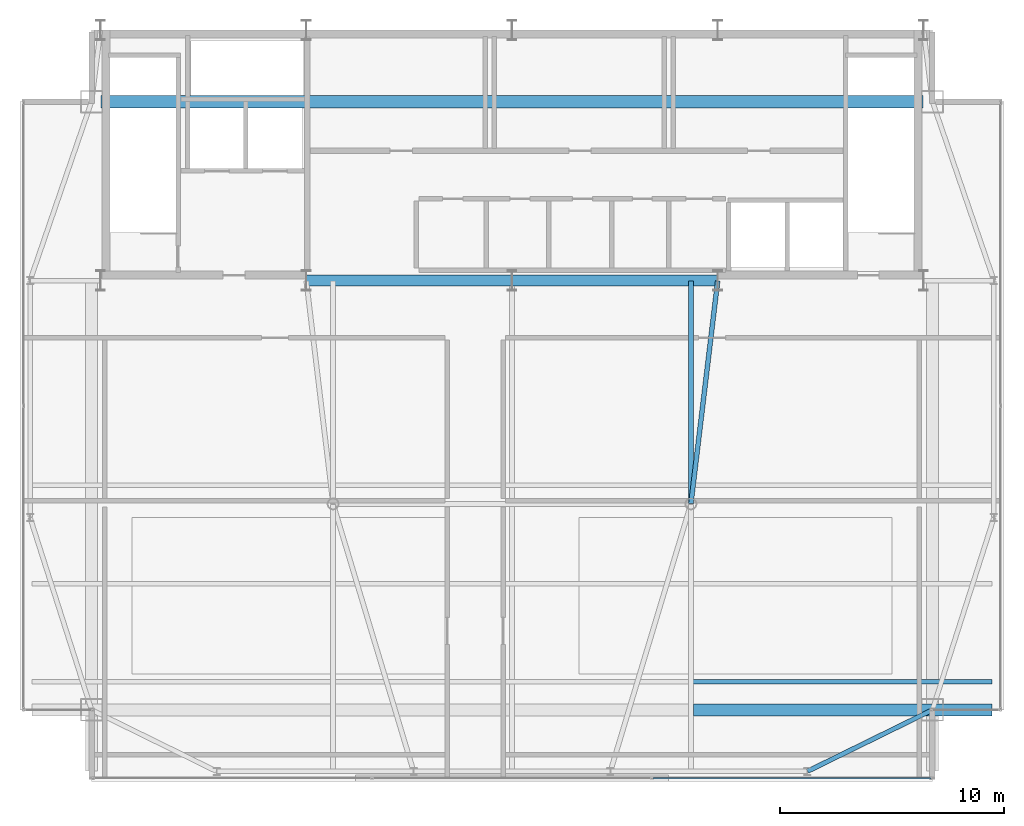
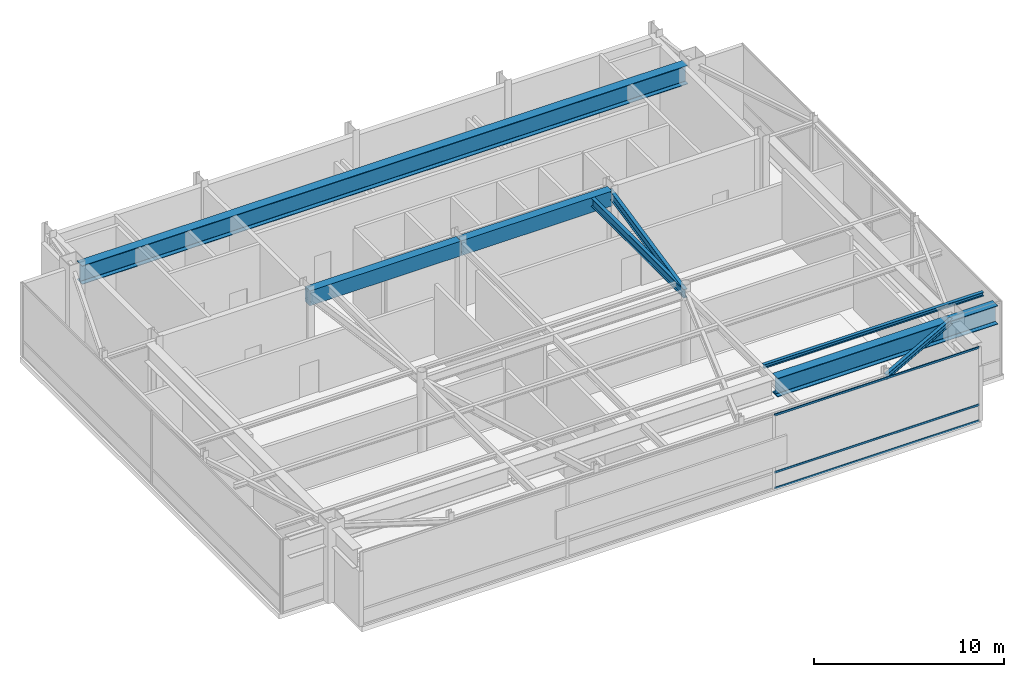
# One storey, part 13 of 20: 8 beams, 3 members, 1 element without a shape of its own.
"""IFC4 building model written with IfcOpenShell, lengths in metres."""

from ifc_helpers import new_model, si_unit, direction, frame, origin, origin_2d, place, context, subcontext, project, spatial, rectangle, hollow_rectangle, i_section, extrude, source, transform, mapped, material, layer, layer_set, material_profile, profile_set, type_object, type_shapes, element, aggregate, save


model = new_model("IFC4")

# Units and contexts
model_context = context("Model", 3, precision=1e-05, world=origin(), true_north=direction((0.0, 1.0)))
body_context = subcontext(model_context, "Body", "Model", "MODEL_VIEW")
ifc_project = project(units=[si_unit("LENGTHUNIT", "METRE"), si_unit("AREAUNIT", "SQUARE_METRE"), si_unit("VOLUMEUNIT", "CUBIC_METRE"), si_unit("PLANEANGLEUNIT", "RADIAN"), si_unit("MASSUNIT", "GRAM", prefix="KILO")], contexts=[model_context])

# Site, building, storey
site_placement = place(None, origin())
site = spatial("IfcSite", under=ifc_project, at=site_placement, CompositionType="ELEMENT")
building_placement = place(site_placement, origin())
building = spatial("IfcBuilding", under=site, at=building_placement, Name="Varnel Quay Broadcast Tower", CompositionType="ELEMENT")
storey_placement = place(building_placement, frame((0.0, 0.0, 314.60009765625)))
storey = spatial("IfcBuildingStorey", under=building, at=storey_placement, Name="L78", CompositionType="ELEMENT", Elevation=314.60009765625)

# Beams
ifc_material_1 = material(Name="Concrete CSA A23.3 C50/60", Category="concrete")
ifc_material_profile_1 = material_profile(ifc_material_1, rectangle(XDim=0.5, YDim=0.949951171875, at=origin_2d()), Name="RC500X950")
ifc_profile_set_1 = profile_set([ifc_material_profile_1], Name="Concrete CSA A23.3 C50/60")
beam_type_1 = type_object("IfcBeamType", Name="Beam_RC500X950", PredefinedType="BEAM", material=ifc_profile_set_1)
shared_shape_1 = source(origin(), body_context, "Body", "SweptSolid", [
    extrude(rectangle(XDim=0.5, YDim=0.949951171875, at=origin_2d()), origin(), (0.0, 0.0, 1.0), 9.159912109375),
])
type_shapes(beam_type_1, [shared_shape_1])
for number, where, z_axis, x_axis, name in (
    (1, (24.820068359375, 35.60009765625, 4.27490234375), (1.0, 0.0, 0.0), (0.0, 1.0, 0.0), "L78 Core Coupling Beam W"),
    (2, (34.02001953125, 35.60009765625, 4.27490234375), (1.0, 0.0, 0.0), (0.0, 1.0, 0.0), "L78 Core Coupling Beam E"),
):
    element("IfcBeam", number, at=place(storey_placement, frame(where, z_axis=z_axis, x_axis=x_axis)), inside=storey, type_object=beam_type_1, Name=name, PredefinedType="BEAM", context=body_context, shape_type="MappedRepresentation", body=[
        mapped(shared_shape_1, transform((0.0, 0.0, 0.0), x_axis=(1.0, 0.0, 0.0), y_axis=(0.0, 1.0, 0.0), z_axis=(0.0, 0.0, 1.0), scale=1.0)),
    ])
ifc_material_2 = material(Name="Structural Steel CSA G40.21 350W", Category="steel")
ifc_material_profile_2 = material_profile(ifc_material_2, i_section(OverallWidth=0.205078125, OverallDepth=0.35400390625, WebThickness=0.009521484375, FlangeThickness=0.016845703125, FilletRadius=0.012939453125, at=origin_2d()), Name="W360X79")
ifc_profile_set_2 = profile_set([ifc_material_profile_2], Name="Structural Steel CSA G40.21 350W")
beam_type_2 = type_object("IfcBeamType", Name="Beam_W360X79", PredefinedType="SPANDREL", material=ifc_profile_set_2)
shared_shape_2 = source(origin(), body_context, "Body", "SweptSolid", [
    extrude(i_section(OverallWidth=0.205078125, OverallDepth=0.35400390625, WebThickness=0.009521484375, FlangeThickness=0.016845703125, FilletRadius=0.012939453125, at=origin_2d()), origin(), (0.0, 0.0, 1.0), 6.19873046875),
])
type_shapes(beam_type_2, [shared_shape_2])
beam_1_placement = place(storey_placement, frame((47.218017578125, 13.65869140625, 4.572998046875), z_axis=(0.897602447358, 0.440805905697, 0.0), x_axis=(-0.440805905697, 0.897602447358, 0.0)))
element("IfcBeam", 3, at=beam_1_placement, inside=storey, type_object=beam_type_2, Name="L78 South Spandrel TC-S4-MC-SE", PredefinedType="SPANDREL", context=body_context, shape_type="MappedRepresentation", body=[
    mapped(shared_shape_2, transform((0.0, 0.0, 0.0), x_axis=(1.0, 0.0, 0.0), y_axis=(0.0, 1.0, 0.0), z_axis=(0.0, 0.0, 1.0), scale=1.0)),
])
ifc_material_profile_3 = material_profile(ifc_material_2, i_section(OverallWidth=0.2119140625, OverallDepth=0.5439453125, WebThickness=0.01318359375, FlangeThickness=0.021240234375, FilletRadius=0.013916015625, at=origin_2d()), Name="W530X123")
ifc_profile_set_3 = profile_set([ifc_material_profile_3], Name="Structural Steel CSA G40.21 350W")
beam_type_3 = type_object("IfcBeamType", Name="Girder_W530X123", PredefinedType="BEAM", material=ifc_profile_set_3)
shared_shape_3 = source(origin(), body_context, "Body", "SweptSolid", [
    extrude(i_section(OverallWidth=0.2119140625, OverallDepth=0.5439453125, WebThickness=0.01318359375, FlangeThickness=0.021240234375, FilletRadius=0.013916015625, at=origin_2d()), origin(), (0.0, 0.0, 1.0), 10.021728515625),
])
beam_2_placement = place(storey_placement, frame((42.00244140625, 25.6298828125, 4.477783203125), z_axis=(0.119248005741, 0.992864498875, 0.0), x_axis=(-0.992864498875, 0.119248005741, 0.0)))
element("IfcBeam", 4, at=beam_2_placement, inside=storey, type_object=beam_type_3, Name="L78 Primary Girder IC-02-CC-S4", PredefinedType="BEAM", context=body_context, shape_type="MappedRepresentation", body=[
    mapped(shared_shape_3, transform((0.0, 0.0, 0.0), x_axis=(1.0, 0.0, 0.0), y_axis=(0.0, 1.0, 0.0), z_axis=(0.0, 0.0, 1.0), scale=1.0)),
])
shared_shape_4 = source(origin(), body_context, "Body", "SweptSolid", [
    extrude(i_section(OverallWidth=0.2119140625, OverallDepth=0.5439453125, WebThickness=0.01318359375, FlangeThickness=0.021240234375, FilletRadius=0.013916015625, at=origin_2d()), origin(), (0.0, 0.0, 1.0), 9.9501953125),
])
type_shapes(beam_type_3, [shared_shape_3, shared_shape_4])
beam_3_placement = place(storey_placement, frame((42.0, 25.6298828125, 4.477783203125), z_axis=(0.0, 1.0, 0.0), x_axis=(-1.0, 0.0, 0.0)))
element("IfcBeam", 5, at=beam_3_placement, inside=storey, type_object=beam_type_3, Name="L78 N-S Joist Header IC-02N", PredefinedType="BEAM", context=body_context, shape_type="MappedRepresentation", body=[
    mapped(shared_shape_4, transform((0.0, 0.0, 0.0), x_axis=(1.0, 0.0, 0.0), y_axis=(0.0, 1.0, 0.0), z_axis=(0.0, 0.0, 1.0), scale=1.0)),
])
ifc_material_profile_4 = material_profile(ifc_material_2, i_section(OverallWidth=0.201904296875, OverallDepth=0.2470703125, WebThickness=0.00732421875, FlangeThickness=0.010986328125, FilletRadius=0.010986328125, at=origin_2d()), Name="W250X49")
ifc_profile_set_4 = profile_set([ifc_material_profile_4], Name="Structural Steel CSA G40.21 350W")
beam_type_4 = type_object("IfcBeamType", Name="Beam_W250X49", PredefinedType="JOIST", material=ifc_profile_set_4)
shared_shape_5 = source(origin(), body_context, "Body", "SweptSolid", [
    extrude(i_section(OverallWidth=0.201904296875, OverallDepth=0.2470703125, WebThickness=0.00732421875, FlangeThickness=0.010986328125, FilletRadius=0.010986328125, at=origin_2d()), origin(), (0.0, 0.0, 1.0), 13.351318359375),
])
type_shapes(beam_type_4, [shared_shape_5])
beam_4_placement = place(storey_placement, frame((42.10107421875, 17.64990234375, 4.62646484375), z_axis=(1.0, 0.0, 0.0), x_axis=(0.0, 1.0, 0.0)))
element("IfcBeam", 6, at=beam_4_placement, inside=storey, type_object=beam_type_4, Name="L78 East Floor Joist 1", PredefinedType="JOIST", context=body_context, shape_type="MappedRepresentation", body=[
    mapped(shared_shape_5, transform((0.0, 0.0, 0.0), x_axis=(1.0, 0.0, 0.0), y_axis=(0.0, 1.0, 0.0), z_axis=(0.0, 0.0, 1.0), scale=1.0)),
])
ifc_material_3 = material(Name="Structural Steel CSA G40.21 350WT", Category="steel")
ifc_material_profile_5 = material_profile(ifc_material_3, i_section(OverallWidth=0.550048828125, OverallDepth=1.199951171875, WebThickness=0.02001953125, FlangeThickness=0.034912109375, FilletRadius=0.02001953125, at=origin_2d()), Name="WWF1200X487")
ifc_profile_set_5 = profile_set([ifc_material_profile_5], Name="Structural Steel CSA G40.21 350WT")
beam_type_5 = type_object("IfcBeamType", Name="Girder_WWF1200X487", PredefinedType="BEAM", material=ifc_profile_set_5)
shared_shape_6 = source(origin(), body_context, "Body", "SweptSolid", [
    extrude(i_section(OverallWidth=0.550048828125, OverallDepth=1.199951171875, WebThickness=0.02001953125, FlangeThickness=0.034912109375, FilletRadius=0.02001953125, at=origin_2d()), origin(), (0.0, 0.0, 1.0), 13.35986328125),
])
beam_5_placement = place(storey_placement, frame((42.110107421875, 16.39990234375, 4.14990234375), z_axis=(1.0, 0.0, 0.0), x_axis=(0.0, 1.0, 0.0)))
element("IfcBeam", 7, at=beam_5_placement, inside=storey, type_object=beam_type_5, Name="L78 Crown Ring Support S3", PredefinedType="BEAM", context=body_context, shape_type="MappedRepresentation", body=[
    mapped(shared_shape_6, transform((0.0, 0.0, 0.0), x_axis=(1.0, 0.0, 0.0), y_axis=(0.0, 1.0, 0.0), z_axis=(0.0, 0.0, 1.0), scale=1.0)),
])
shared_shape_7 = source(origin(), body_context, "Body", "SweptSolid", [
    extrude(i_section(OverallWidth=0.550048828125, OverallDepth=1.199951171875, WebThickness=0.02001953125, FlangeThickness=0.034912109375, FilletRadius=0.02001953125, at=origin_2d()), origin(), (0.0, 0.0, 1.0), 36.759765625),
])
type_shapes(beam_type_5, [shared_shape_6, shared_shape_7])
beam_6_placement = place(storey_placement, frame((15.6201171875, 43.60009765625, 4.14990234375), z_axis=(1.0, 0.0, 0.0), x_axis=(0.0, 1.0, 0.0)))
element("IfcBeam", 8, at=beam_6_placement, inside=storey, type_object=beam_type_5, Name="L78 Crown Ring Support N", PredefinedType="BEAM", context=body_context, shape_type="MappedRepresentation", body=[
    mapped(shared_shape_7, transform((0.0, 0.0, 0.0), x_axis=(1.0, 0.0, 0.0), y_axis=(0.0, 1.0, 0.0), z_axis=(0.0, 0.0, 1.0), scale=1.0)),
])

# Curtain wall, members
ifc_material_4 = material(Name="Anodised Bronze Aluminium 6063-T6", Category="aluminium")
ifc_layer = layer(ifc_material_4, 0.18994140625, Name="Anodised Bronze Aluminium 6063-T6")
ifc_layer_set = layer_set([ifc_layer], Name="Anodised Bronze Aluminium 6063-T6")
curtain_wall_type = type_object("IfcCurtainWallType", Name="CW_UpperTower", PredefinedType="NOTDEFINED", material=ifc_layer_set)
curtain_wall_placement = place(storey_placement, origin())
curtain_wall = element("IfcCurtainWall", 9, at=curtain_wall_placement, inside=storey, type_object=curtain_wall_type, Name="L78 South Unitised Curtain Wall 1", PredefinedType="NOTDEFINED")
ifc_material_profile_6 = material_profile(ifc_material_4, hollow_rectangle(XDim=0.06005859375, YDim=0.125, WallThickness=0.0029296875, at=origin_2d()), Name="ALU60X125X3")
ifc_profile_set_6 = profile_set([ifc_material_profile_6], Name="Anodised Bronze Aluminium 6063-T6")
member_type = type_object("IfcMemberType", Name="Tran_CWS-03", PredefinedType="USERDEFINED", material=ifc_profile_set_6)
shared_shape_8 = source(origin(), body_context, "Body", "SweptSolid", [
    extrude(hollow_rectangle(XDim=0.06005859375, YDim=0.125, WallThickness=0.0029296875, at=origin_2d()), origin(), (0.0, 0.0, 1.0), 12.43603515625),
])
type_shapes(member_type, [shared_shape_8])
member_1_placement = place(storey_placement, frame((40.299072265625, 13.35009765625, 0.02978515625), z_axis=(1.0, 0.0, 0.0), x_axis=(0.0, 1.0, 0.0)))
member_1 = element("IfcMember", 10, at=member_1_placement, type_object=member_type, Name="CWS-03 transom 3.1", ObjectType="TRANSOM", PredefinedType="USERDEFINED", context=body_context, shape_type="MappedRepresentation", body=[
    mapped(shared_shape_8, transform((0.0, 0.0, 0.0), x_axis=(1.0, 0.0, 0.0), y_axis=(0.0, 1.0, 0.0), z_axis=(0.0, 0.0, 1.0), scale=1.0)),
])
member_2_placement = place(storey_placement, frame((40.299072265625, 13.35009765625, 1.0498046875), z_axis=(1.0, 0.0, 0.0), x_axis=(0.0, 1.0, 0.0)))
member_2 = element("IfcMember", 11, at=member_2_placement, type_object=member_type, Name="CWS-03 transom 3.2", ObjectType="TRANSOM", PredefinedType="USERDEFINED", context=body_context, shape_type="MappedRepresentation", body=[
    mapped(shared_shape_8, transform((0.0, 0.0, 0.0), x_axis=(1.0, 0.0, 0.0), y_axis=(0.0, 1.0, 0.0), z_axis=(0.0, 0.0, 1.0), scale=1.0)),
])
member_3_placement = place(storey_placement, frame((40.299072265625, 13.35009765625, 4.719970703125), z_axis=(1.0, 0.0, 0.0), x_axis=(0.0, 1.0, 0.0)))
member_3 = element("IfcMember", 12, at=member_3_placement, type_object=member_type, Name="CWS-03 transom 3.3", ObjectType="TRANSOM", PredefinedType="USERDEFINED", context=body_context, shape_type="MappedRepresentation", body=[
    mapped(shared_shape_8, transform((0.0, 0.0, 0.0), x_axis=(1.0, 0.0, 0.0), y_axis=(0.0, 1.0, 0.0), z_axis=(0.0, 0.0, 1.0), scale=1.0)),
])
aggregate(curtain_wall, [member_1, member_2, member_3])

save(model, "model.ifc")
